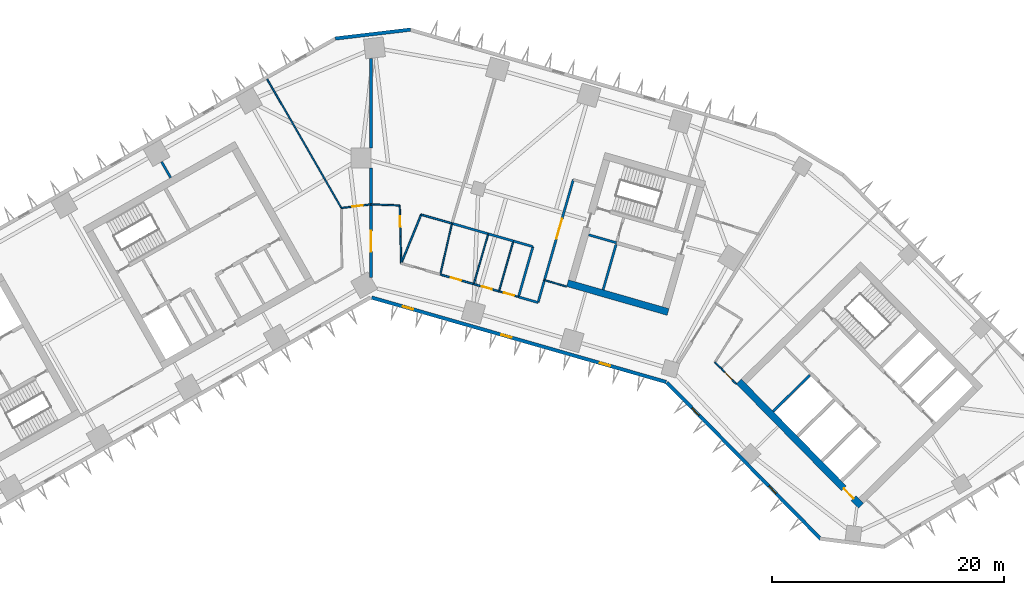
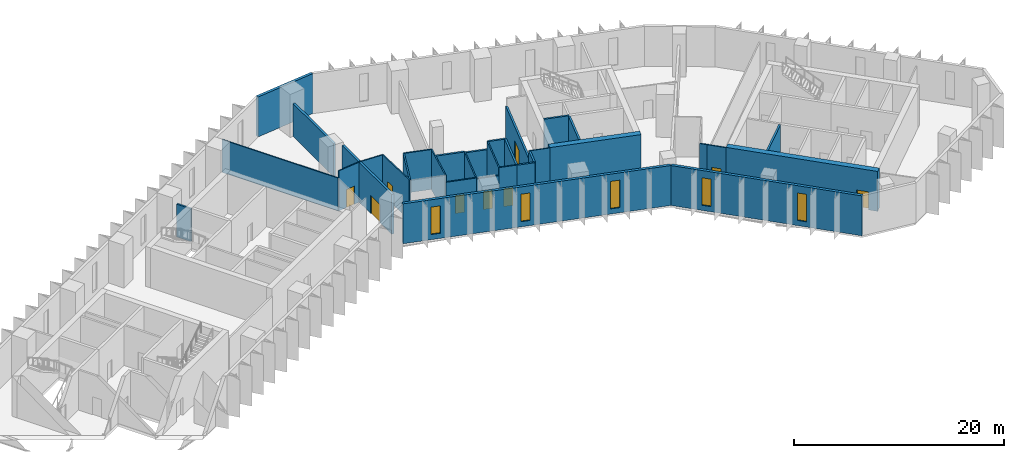
# One storey, part 5 of 11: 34 walls, 9 doors, 5 windows, 14 openings.
"""IFC4 building model written with IfcOpenShell, lengths in metres."""

from ifc_helpers import new_model, si_unit, direction, frame, frame_2d, origin, place, context, subcontext, project, spatial, rectangle, extrude, material, layer, layer_set, type_object, element, fill, save


model = new_model("IFC4")

# Units and contexts
model_context = context("Model", 3, precision=1e-05, world=origin(), true_north=direction((0.0, 1.0)))
body_context = subcontext(model_context, "Body", "Model", "MODEL_VIEW")
ifc_project = project(units=[si_unit("LENGTHUNIT", "METRE"), si_unit("AREAUNIT", "SQUARE_METRE"), si_unit("VOLUMEUNIT", "CUBIC_METRE"), si_unit("PLANEANGLEUNIT", "RADIAN"), si_unit("MASSUNIT", "GRAM", prefix="KILO")], contexts=[model_context])

# Site, building, storey
site_placement = place(None, origin())
site = spatial("IfcSite", under=ifc_project, at=site_placement, CompositionType="ELEMENT")
building_placement = place(site_placement, origin())
building = spatial("IfcBuilding", under=site, at=building_placement, Name="Binnacle Exchange Tower", CompositionType="ELEMENT")
storey_placement = place(building_placement, frame((0.0, 0.0, 86.5)))
storey = spatial("IfcBuildingStorey", under=building, at=storey_placement, Name="L17", CompositionType="ELEMENT", Elevation=86.5)

# Wall, opening, door
ifc_material_1 = material(Name="Concrete C70/85", Category="concrete")
ifc_layer_1 = layer(ifc_material_1, 0.60009765625)
ifc_layer_set_1 = layer_set([ifc_layer_1], Name="Core wall - outer 600")
wall_type_1 = type_object("IfcWallType", Name="Core wall - outer 600", PredefinedType="SOLIDWALL", material=ifc_layer_set_1)
wall_1_placement = place(storey_placement, frame((31.6455078125, 40.7626953125, 0.0), z_axis=(0.0, 0.0, 1.0), x_axis=(0.700911255944, -0.713248491965, 0.0)))
wall_1 = element("IfcWall", 1, at=wall_1_placement, inside=storey, type_object=wall_type_1, Name="Core wall CRWB1", PredefinedType="SOLIDWALL", context=body_context, shape_type="SweptSolid", body=[
    extrude(rectangle(XDim=15.0, YDim=0.60009765625, at=frame_2d((7.5, 0.0))), origin(), (0.0, 0.0, 1.0), 4.64990234375),
])
opening_1_placement = place(wall_1_placement, frame((12.89990234375, 0.0, 0.0)))
opening_1 = element("IfcOpeningElement", 2, at=opening_1_placement, cuts=wall_1, Name="Opening DB7", PredefinedType="OPENING", context=body_context, shape_type="SweptSolid", body=[
    extrude(rectangle(XDim=1.199951171875, YDim=2.10009765625, at=frame_2d((0.60009765625, 1.050048828125))), frame((0.0, 0.31005859375, 0.0), z_axis=(0.0, -1.0, 0.0), x_axis=(1.0, 0.0, 0.0)), (0.0, 0.0, 1.0), 0.6201171875),
])
ifc_material_2 = material(Name="Steel door leaf", Category="steel")
door_type_1 = type_object("IfcDoorType", Name="Fire door 1200", OperationType="NOTDEFINED", PredefinedType="DOOR", material=ifc_material_2)
door_1_placement = place(opening_1_placement, frame((1.199951171875, 0.0, 0.0), z_axis=(0.0, 0.0, 1.0), x_axis=(-1.0, 0.0, 0.0)))
door_1 = element("IfcDoor", 3, at=door_1_placement, inside=storey, type_object=door_type_1, Name="Lift lobby entrance door core B", OperationType="SINGLE_SWING_LEFT", OverallHeight=2.10009765625, OverallWidth=1.199951171875, PredefinedType="DOOR", context=body_context, shape_type="SweptSolid", body=[
    extrude(rectangle(XDim=1.199951171875, YDim=2.10009765625, at=frame_2d((0.60009765625, 1.050048828125))), frame((0.0, 0.02490234375, 0.0), z_axis=(0.0, -1.0, 0.0), x_axis=(1.0, 0.0, 0.0)), (0.0, 0.0, 1.0), 0.050048828125),
])
fill(opening_1, door_1)

# Walls
wall_2_placement = place(storey_placement, frame((16.91064453125, 49.22119140625, 0.0), z_axis=(0.0, 0.0, 1.0), x_axis=(0.96126248289, -0.275634611374, 0.0)))
element("IfcWall", 4, at=wall_2_placement, inside=storey, type_object=wall_type_1, Name="Core wall CRWD1", PredefinedType="SOLIDWALL", context=body_context, shape_type="SweptSolid", body=[
    extrude(rectangle(XDim=9.0, YDim=0.60009765625, at=frame_2d((4.5, 0.0))), origin(), (0.0, 0.0, 1.0), 4.64990234375),
])
ifc_material_3 = material(Name="Bronze aluminium cladding", Category="aluminium")
ifc_layer_2 = layer(ifc_material_3, 0.300048828125)
ifc_layer_set_2 = layer_set([ifc_layer_2], Name="External wall - spandrel 300")
wall_type_2 = type_object("IfcWallType", Name="External wall - spandrel 300", PredefinedType="STANDARD", material=ifc_layer_set_2)
wall_3_placement = place(storey_placement, frame((-3.076171875, 70.27294921875, 0.0), z_axis=(0.0, 0.0, 1.0), x_axis=(0.993067743007, 0.117543429416, 0.0)))
element("IfcWall", 5, at=wall_3_placement, inside=storey, type_object=wall_type_2, Name="External wall EW-F02 L17", PredefinedType="STANDARD", context=body_context, shape_type="SweptSolid", body=[
    extrude(rectangle(XDim=6.515625, YDim=0.300048828125, at=frame_2d((3.2578125, 0.0))), origin(), (0.0, 0.0, 1.0), 4.64990234375),
])

# Wall, openings, windows
wall_4_placement = place(storey_placement, frame((25.398193359375, 40.71728515625, 0.0), z_axis=(0.0, 0.0, 1.0), x_axis=(-0.961262423262, 0.275634819324, 0.0)))
wall_4 = element("IfcWall", 6, at=wall_4_placement, inside=storey, type_object=wall_type_2, Name="External wall EW-F08 L17", PredefinedType="STANDARD", context=body_context, shape_type="SweptSolid", body=[
    extrude(rectangle(XDim=26.358642578125, YDim=0.300048828125, at=frame_2d((13.17919921875, 0.0))), origin(), (0.0, 0.0, 1.0), 4.64990234375),
])
opening_2_placement = place(wall_4_placement, frame((22.6640625, 0.0, 0.60009765625)))
opening_2 = element("IfcOpeningElement", 7, at=opening_2_placement, cuts=wall_4, Name="Opening WS1", PredefinedType="OPENING", context=body_context, shape_type="SweptSolid", body=[
    extrude(rectangle(XDim=0.89990234375, YDim=3.199951171875, at=frame_2d((0.449951171875, 1.60009765625))), frame((0.0, 0.159912109375, 0.0), z_axis=(0.0, -1.0, 0.0), x_axis=(1.0, 0.0, 0.0)), (0.0, 0.0, 1.0), 0.320068359375),
])
opening_3_placement = place(wall_4_placement, frame((13.843505859375, 0.0, 0.60009765625)))
opening_3 = element("IfcOpeningElement", 8, at=opening_3_placement, cuts=wall_4, Name="Opening WS1", PredefinedType="OPENING", context=body_context, shape_type="SweptSolid", body=[
    extrude(rectangle(XDim=0.89990234375, YDim=3.199951171875, at=frame_2d((0.449951171875, 1.60009765625))), frame((0.0, 0.159912109375, 0.0), z_axis=(0.0, -1.0, 0.0), x_axis=(1.0, 0.0, 0.0)), (0.0, 0.0, 1.0), 0.320068359375),
])
opening_4_placement = place(wall_4_placement, frame((5.023193359375, 0.0, 0.60009765625)))
opening_4 = element("IfcOpeningElement", 9, at=opening_4_placement, cuts=wall_4, Name="Opening WS1", PredefinedType="OPENING", context=body_context, shape_type="SweptSolid", body=[
    extrude(rectangle(XDim=0.89990234375, YDim=3.199951171875, at=frame_2d((0.449951171875, 1.60009765625))), frame((0.0, 0.159912109375, 0.0), z_axis=(0.0, -1.0, 0.0), x_axis=(1.0, 0.0, 0.0)), (0.0, 0.0, 1.0), 0.320068359375),
])
ifc_material_4 = material(Name="Bronze anodised aluminium frame", Category="aluminium")
window_type = type_object("IfcWindowType", Name="WS1 WINDOW 900x3200", PartitioningType="SINGLE_PANEL", PredefinedType="WINDOW", material=ifc_material_4)
window_1_placement = place(opening_2_placement, origin())
window_1 = element("IfcWindow", 10, at=window_1_placement, inside=storey, type_object=window_type, Name="Window WS1 L17", OverallHeight=3.199951171875, OverallWidth=0.89990234375, PartitioningType="SINGLE_PANEL", PredefinedType="WINDOW", context=body_context, shape_type="SweptSolid", body=[
    extrude(rectangle(XDim=0.89990234375, YDim=3.199951171875, at=frame_2d((0.449951171875, 1.60009765625))), frame((0.0, 0.030029296875, 0.0), z_axis=(0.0, -1.0, 0.0), x_axis=(1.0, 0.0, 0.0)), (0.0, 0.0, 1.0), 0.06005859375),
])
fill(opening_2, window_1)
window_2_placement = place(opening_3_placement, origin())
window_2 = element("IfcWindow", 11, at=window_2_placement, inside=storey, type_object=window_type, Name="Window WS1 L17", OverallHeight=3.199951171875, OverallWidth=0.89990234375, PartitioningType="SINGLE_PANEL", PredefinedType="WINDOW", context=body_context, shape_type="SweptSolid", body=[
    extrude(rectangle(XDim=0.89990234375, YDim=3.199951171875, at=frame_2d((0.449951171875, 1.60009765625))), frame((0.0, 0.030029296875, 0.0), z_axis=(0.0, -1.0, 0.0), x_axis=(1.0, 0.0, 0.0)), (0.0, 0.0, 1.0), 0.06005859375),
])
fill(opening_3, window_2)
window_3_placement = place(opening_4_placement, origin())
window_3 = element("IfcWindow", 12, at=window_3_placement, inside=storey, type_object=window_type, Name="Window WS1 L17", OverallHeight=3.199951171875, OverallWidth=0.89990234375, PartitioningType="SINGLE_PANEL", PredefinedType="WINDOW", context=body_context, shape_type="SweptSolid", body=[
    extrude(rectangle(XDim=0.89990234375, YDim=3.199951171875, at=frame_2d((0.449951171875, 1.60009765625))), frame((0.0, 0.030029296875, 0.0), z_axis=(0.0, -1.0, 0.0), x_axis=(1.0, 0.0, 0.0)), (0.0, 0.0, 1.0), 0.06005859375),
])
fill(opening_4, window_3)

wall_5_placement = place(storey_placement, frame((38.727294921875, 27.18115234375, 0.0), z_axis=(0.0, 0.0, 1.0), x_axis=(-0.700906405975, 0.713253258011, 0.0)))
wall_5 = element("IfcWall", 13, at=wall_5_placement, inside=storey, type_object=wall_type_2, Name="External wall EW-F09 L17", PredefinedType="STANDARD", context=body_context, shape_type="SweptSolid", body=[
    extrude(rectangle(XDim=18.92333984375, YDim=0.300048828125, at=frame_2d((9.461669921875, 0.0))), origin(), (0.0, 0.0, 1.0), 4.64990234375),
])
opening_5_placement = place(wall_5_placement, frame((14.967041015625, 0.0, 0.60009765625)))
opening_5 = element("IfcOpeningElement", 14, at=opening_5_placement, cuts=wall_5, Name="Opening WS1", PredefinedType="OPENING", context=body_context, shape_type="SweptSolid", body=[
    extrude(rectangle(XDim=0.89990234375, YDim=3.199951171875, at=frame_2d((0.449951171875, 1.60009765625))), frame((0.0, 0.159912109375, 0.0), z_axis=(0.0, -1.0, 0.0), x_axis=(1.0, 0.0, 0.0)), (0.0, 0.0, 1.0), 0.320068359375),
])
opening_6_placement = place(wall_5_placement, frame((5.51171875, 0.0, 0.60009765625)))
opening_6 = element("IfcOpeningElement", 15, at=opening_6_placement, cuts=wall_5, Name="Opening WS1", PredefinedType="OPENING", context=body_context, shape_type="SweptSolid", body=[
    extrude(rectangle(XDim=0.89990234375, YDim=3.199951171875, at=frame_2d((0.449951171875, 1.60009765625))), frame((0.0, 0.159912109375, 0.0), z_axis=(0.0, -1.0, 0.0), x_axis=(1.0, 0.0, 0.0)), (0.0, 0.0, 1.0), 0.320068359375),
])
window_4_placement = place(opening_5_placement, origin())
window_4 = element("IfcWindow", 16, at=window_4_placement, inside=storey, type_object=window_type, Name="Window WS1 L17", OverallHeight=3.199951171875, OverallWidth=0.89990234375, PartitioningType="SINGLE_PANEL", PredefinedType="WINDOW", context=body_context, shape_type="SweptSolid", body=[
    extrude(rectangle(XDim=0.89990234375, YDim=3.199951171875, at=frame_2d((0.449951171875, 1.60009765625))), frame((0.0, 0.030029296875, 0.0), z_axis=(0.0, -1.0, 0.0), x_axis=(1.0, 0.0, 0.0)), (0.0, 0.0, 1.0), 0.06005859375),
])
fill(opening_5, window_4)
window_5_placement = place(opening_6_placement, origin())
window_5 = element("IfcWindow", 17, at=window_5_placement, inside=storey, type_object=window_type, Name="Window WS1 L17", OverallHeight=3.199951171875, OverallWidth=0.89990234375, PartitioningType="SINGLE_PANEL", PredefinedType="WINDOW", context=body_context, shape_type="SweptSolid", body=[
    extrude(rectangle(XDim=0.89990234375, YDim=3.199951171875, at=frame_2d((0.449951171875, 1.60009765625))), frame((0.0, 0.030029296875, 0.0), z_axis=(0.0, -1.0, 0.0), x_axis=(1.0, 0.0, 0.0)), (0.0, 0.0, 1.0), 0.06005859375),
])
fill(opening_6, window_5)

# Walls
ifc_material_5 = material(Name="Masonry block wall", Category="masonry")
ifc_layer_3 = layer(ifc_material_5, 0.199951171875)
ifc_layer_set_3 = layer_set([ifc_layer_3], Name="Fire wall - block 200")
wall_type_3 = type_object("IfcWallType", Name="Fire wall - block 200", PredefinedType="PARTITIONING", material=ifc_layer_set_3)
wall_6_placement = place(storey_placement, frame((-18.01806640625, 59.6689453125, 0.0), z_axis=(0.0, 0.0, 1.0), x_axis=(0.494877399769, -0.868962806568, 0.0)))
element("IfcWall", 18, at=wall_6_placement, inside=storey, type_object=wall_type_3, Name="Partition W05", PredefinedType="PARTITIONING", context=body_context, shape_type="SweptSolid", body=[
    extrude(rectangle(XDim=1.58447265625, YDim=0.199951171875, at=frame_2d((0.792236328125, 0.0))), origin(), (0.0, 0.0, 1.0), 3.830078125),
])
wall_7_placement = place(storey_placement, frame((6.966064453125, 54.362060546875, 0.0), z_axis=(0.0, 0.0, 1.0), x_axis=(0.961245650832, -0.275693305607, 0.0)))
element("IfcWall", 19, at=wall_7_placement, inside=storey, type_object=wall_type_3, Name="Partition W20", PredefinedType="PARTITIONING", context=body_context, shape_type="SweptSolid", body=[
    extrude(rectangle(XDim=3.25, YDim=0.199951171875, at=frame_2d((1.625, 0.0))), origin(), (0.0, 0.0, 1.0), 3.830078125),
])
wall_8_placement = place(storey_placement, frame((10.090087890625, 53.466064453125, 0.0), z_axis=(0.0, 0.0, 1.0), x_axis=(0.961269670038, -0.275609545309, 0.0)))
element("IfcWall", 20, at=wall_8_placement, inside=storey, type_object=wall_type_3, Name="Partition W24", PredefinedType="PARTITIONING", context=body_context, shape_type="SweptSolid", body=[
    extrude(rectangle(XDim=2.25, YDim=0.199951171875, at=frame_2d((1.125, 0.0))), origin(), (0.0, 0.0, 1.0), 3.718017578125),
])
wall_9_placement = place(storey_placement, frame((12.2529296875, 52.845947265625, 0.0), z_axis=(0.0, 0.0, 1.0), x_axis=(0.961175737212, -0.275936953296, 0.0)))
element("IfcWall", 21, at=wall_9_placement, inside=storey, type_object=wall_type_3, Name="Partition W27", PredefinedType="PARTITIONING", context=body_context, shape_type="SweptSolid", body=[
    extrude(rectangle(XDim=1.75, YDim=0.199951171875, at=frame_2d((0.875, 0.0))), origin(), (0.0, 0.0, 1.0), 4.64990234375),
])
wall_10_placement = place(storey_placement, frame((12.694091796875, 48.0380859375, 0.0), z_axis=(0.0, 0.0, 1.0), x_axis=(0.275803080638, 0.96121415965, 0.0)))
element("IfcWall", 22, at=wall_10_placement, inside=storey, type_object=wall_type_3, Name="Partition W28", PredefinedType="PARTITIONING", context=body_context, shape_type="SweptSolid", body=[
    extrude(rectangle(XDim=4.49951171875, YDim=0.199951171875, at=frame_2d((2.249755859375, 0.0))), origin(), (0.0, 0.0, 1.0), 4.64990234375),
])
wall_11_placement = place(storey_placement, frame((12.694091796875, 48.0380859375, 0.0), z_axis=(0.0, 0.0, 1.0), x_axis=(0.961170605556, -0.275954827854, 0.0)))
element("IfcWall", 23, at=wall_11_placement, inside=storey, type_object=wall_type_3, Name="Partition W29", PredefinedType="PARTITIONING", context=body_context, shape_type="SweptSolid", body=[
    extrude(rectangle(XDim=1.750732421875, YDim=0.199951171875, at=frame_2d((0.87548828125, 0.0))), origin(), (0.0, 0.0, 1.0), 4.64990234375),
])
wall_12_placement = place(storey_placement, frame((14.376953125, 47.554931640625, 0.0), z_axis=(0.0, 0.0, 1.0), x_axis=(0.275446387355, 0.961316434736, 0.0)))
element("IfcWall", 24, at=wall_12_placement, inside=storey, type_object=wall_type_3, Name="Partition W30", PredefinedType="PARTITIONING", context=body_context, shape_type="SweptSolid", body=[
    extrude(rectangle(XDim=2.00048828125, YDim=0.199951171875, at=frame_2d((1.000244140625, 0.0))), origin(), (0.0, 0.0, 1.0), 4.64990234375),
])

# Wall, opening, door
wall_13_placement = place(storey_placement, frame((14.927978515625, 49.47802734375, 0.0), z_axis=(0.0, 0.0, 1.0), x_axis=(0.275674053528, 0.961251172281, 0.0)))
wall_13 = element("IfcWall", 25, at=wall_13_placement, inside=storey, type_object=wall_type_3, Name="Partition W32", PredefinedType="PARTITIONING", context=body_context, shape_type="SweptSolid", body=[
    extrude(rectangle(XDim=8.99951171875, YDim=0.199951171875, at=frame_2d((4.499755859375, 0.0))), origin(), (0.0, 0.0, 1.0), 3.718017578125),
])
opening_7_placement = place(wall_13_placement, frame((3.699951171875, 0.0, 0.0)))
opening_7 = element("IfcOpeningElement", 26, at=opening_7_placement, cuts=wall_13, Name="Opening DL16-10", PredefinedType="OPENING", context=body_context, shape_type="SweptSolid", body=[
    extrude(rectangle(XDim=1.800048828125, YDim=2.10009765625, at=frame_2d((0.89990234375, 1.050048828125))), frame((0.0, 0.10986328125, 0.0), z_axis=(0.0, -1.0, 0.0), x_axis=(1.0, 0.0, 0.0)), (0.0, 0.0, 1.0), 0.219970703125),
])
door_type_2 = type_object("IfcDoorType", Name="Fire door 1800", OperationType="NOTDEFINED", PredefinedType="DOOR", material=ifc_material_2)
door_2_placement = place(opening_7_placement, origin())
door_2 = element("IfcDoor", 27, at=door_2_placement, inside=storey, type_object=door_type_2, Name="Door DL16-10", OperationType="DOUBLE_DOOR_SINGLE_SWING", OverallHeight=2.10009765625, OverallWidth=1.800048828125, PredefinedType="DOOR", context=body_context, shape_type="SweptSolid", body=[
    extrude(rectangle(XDim=1.800048828125, YDim=2.10009765625, at=frame_2d((0.89990234375, 1.050048828125))), frame((0.0, 0.02490234375, 0.0), z_axis=(0.0, -1.0, 0.0), x_axis=(1.0, 0.0, 0.0)), (0.0, 0.0, 1.0), 0.050048828125),
])
fill(opening_7, door_2)

ifc_material_6 = material(Name="Concrete fire wall C30/37", Category="concrete")
ifc_layer_4 = layer(ifc_material_6, 0.25)
ifc_layer_set_4 = layer_set([ifc_layer_4], Name="Fire wall - compartment 250")
wall_type_4 = type_object("IfcWallType", Name="Fire wall - compartment 250", PredefinedType="PARTITIONING", material=ifc_layer_set_4)
wall_14_placement = place(storey_placement, frame((0.0, 49.72607421875, 0.0), z_axis=(0.0, 0.0, 1.0), x_axis=(0.0, 1.0, 0.0)))
wall_14 = element("IfcWall", 28, at=wall_14_placement, inside=storey, type_object=wall_type_4, Name="Fire Wall W10", PredefinedType="PARTITIONING", context=body_context, shape_type="SweptSolid", body=[
    extrude(rectangle(XDim=6.27392578125, YDim=0.25, at=frame_2d((3.136962890625, 0.0))), origin(), (0.0, 0.0, 1.0), 4.64990234375),
])
opening_8_placement = place(wall_14_placement, frame((2.199951171875, 0.0, 0.0)))
opening_8 = element("IfcOpeningElement", 29, at=opening_8_placement, cuts=wall_14, Name="Opening DL16-15", PredefinedType="OPENING", context=body_context, shape_type="SweptSolid", body=[
    extrude(rectangle(XDim=1.800048828125, YDim=2.10009765625, at=frame_2d((0.89990234375, 1.050048828125))), frame((0.0, 0.135009765625, 0.0), z_axis=(0.0, -1.0, 0.0), x_axis=(1.0, 0.0, 0.0)), (0.0, 0.0, 1.0), 0.27001953125),
])
door_3_placement = place(opening_8_placement, origin())
door_3 = element("IfcDoor", 30, at=door_3_placement, inside=storey, type_object=door_type_2, Name="Door DL16-15", OperationType="DOUBLE_DOOR_SINGLE_SWING", OverallHeight=2.10009765625, OverallWidth=1.800048828125, PredefinedType="DOOR", context=body_context, shape_type="SweptSolid", body=[
    extrude(rectangle(XDim=1.800048828125, YDim=2.10009765625, at=frame_2d((0.89990234375, 1.050048828125))), frame((0.0, 0.02490234375, 0.0), z_axis=(0.0, -1.0, 0.0), x_axis=(1.0, 0.0, 0.0)), (0.0, 0.0, 1.0), 0.050048828125),
])
fill(opening_8, door_3)

# Walls
wall_15_placement = place(storey_placement, frame((0.0, 56.0, 0.0), z_axis=(0.0, 0.0, 1.0), x_axis=(0.0, 1.0, 0.0)))
element("IfcWall", 31, at=wall_15_placement, inside=storey, type_object=wall_type_4, Name="Fire Wall W11", PredefinedType="PARTITIONING", context=body_context, shape_type="SweptSolid", body=[
    extrude(rectangle(XDim=3.14990234375, YDim=0.25, at=frame_2d((1.574951171875, 0.0))), origin(), (0.0, 0.0, 1.0), 4.64990234375),
])
wall_16_placement = place(storey_placement, frame((0.0, 60.85009765625, 0.0), z_axis=(0.0, 0.0, 1.0), x_axis=(0.0, 1.0, 0.0)))
element("IfcWall", 32, at=wall_16_placement, inside=storey, type_object=wall_type_4, Name="Fire Wall W13", PredefinedType="PARTITIONING", context=body_context, shape_type="SweptSolid", body=[
    extrude(rectangle(XDim=7.722900390625, YDim=0.25, at=frame_2d((3.861328125, 0.0))), origin(), (0.0, 0.0, 1.0), 3.830078125),
])
ifc_material_7 = material(Name="Gypsum partition fire rated")
ifc_layer_5 = layer(ifc_material_7, 0.14990234375)
ifc_layer_set_5 = layer_set([ifc_layer_5], Name="Fire-rated partition 150")
wall_type_5 = type_object("IfcWallType", Name="Fire-rated partition 150", PredefinedType="PARTITIONING", material=ifc_layer_set_5)
wall_17_placement = place(storey_placement, frame((2.60107421875, 50.931884765625, 0.0), z_axis=(0.0, 0.0, 1.0), x_axis=(0.380066317543, 0.924959239247, 0.0)))
element("IfcWall", 33, at=wall_17_placement, inside=storey, type_object=wall_type_5, Name="Partition W15", PredefinedType="PARTITIONING", context=body_context, shape_type="SweptSolid", body=[
    extrude(rectangle(XDim=4.528076171875, YDim=0.14990234375, at=frame_2d((2.26416015625, 0.0))), origin(), (0.0, 0.0, 1.0), 4.64990234375),
])
wall_18_placement = place(storey_placement, frame((4.322021484375, 55.1201171875, 0.0), z_axis=(0.0, 0.0, 1.0), x_axis=(0.961272337704, -0.275600240865, 0.0)))
element("IfcWall", 34, at=wall_18_placement, inside=storey, type_object=wall_type_5, Name="Partition W17", PredefinedType="PARTITIONING", context=body_context, shape_type="SweptSolid", body=[
    extrude(rectangle(XDim=2.75048828125, YDim=0.14990234375, at=frame_2d((1.375244140625, 0.0))), origin(), (0.0, 0.0, 1.0), 4.64990234375),
])

# Wall, opening, door
wall_19_placement = place(storey_placement, frame((5.966064453125, 49.967041015625, 0.0), z_axis=(0.0, 0.0, 1.0), x_axis=(0.961222353496, -0.275774522283, 0.0)))
wall_19 = element("IfcWall", 35, at=wall_19_placement, inside=storey, type_object=wall_type_5, Name="Partition W19", PredefinedType="PARTITIONING", context=body_context, shape_type="SweptSolid", body=[
    extrude(rectangle(XDim=2.999267578125, YDim=0.14990234375, at=frame_2d((1.49951171875, 0.0))), origin(), (0.0, 0.0, 1.0), 3.830078125),
])
opening_9_placement = place(wall_19_placement, frame((0.949951171875, 0.0, 0.0)))
opening_9 = element("IfcOpeningElement", 36, at=opening_9_placement, cuts=wall_19, Name="Opening DL16-06", PredefinedType="OPENING", context=body_context, shape_type="SweptSolid", body=[
    extrude(rectangle(XDim=0.89990234375, YDim=2.10009765625, at=frame_2d((0.449951171875, 1.050048828125))), frame((0.0, 0.0849609375, 0.0), z_axis=(0.0, -1.0, 0.0), x_axis=(1.0, 0.0, 0.0)), (0.0, 0.0, 1.0), 0.169921875),
])
door_type_3 = type_object("IfcDoorType", Name="Fire door 900", OperationType="NOTDEFINED", PredefinedType="DOOR", material=ifc_material_2)
door_4_placement = place(opening_9_placement, origin())
door_4 = element("IfcDoor", 37, at=door_4_placement, inside=storey, type_object=door_type_3, Name="Door DL16-06", OperationType="SINGLE_SWING_LEFT", OverallHeight=2.10009765625, OverallWidth=0.89990234375, PredefinedType="DOOR", context=body_context, shape_type="SweptSolid", body=[
    extrude(rectangle(XDim=0.89990234375, YDim=2.10009765625, at=frame_2d((0.449951171875, 1.050048828125))), frame((0.0, 0.02490234375, 0.0), z_axis=(0.0, -1.0, 0.0), x_axis=(1.0, 0.0, 0.0)), (0.0, 0.0, 1.0), 0.050048828125),
])
fill(opening_9, door_4)

wall_20_placement = place(storey_placement, frame((8.84912109375, 49.139892578125, 0.0), z_axis=(0.0, 0.0, 1.0), x_axis=(0.961298413165, -0.275509275429, 0.0)))
wall_20 = element("IfcWall", 38, at=wall_20_placement, inside=storey, type_object=wall_type_5, Name="Partition W23", PredefinedType="PARTITIONING", context=body_context, shape_type="SweptSolid", body=[
    extrude(rectangle(XDim=2.25, YDim=0.14990234375, at=frame_2d((1.125, 0.0))), origin(), (0.0, 0.0, 1.0), 3.718017578125),
])
opening_10_placement = place(wall_20_placement, frame((0.699951171875, 0.0, 0.0)))
opening_10 = element("IfcOpeningElement", 39, at=opening_10_placement, cuts=wall_20, Name="Opening DL16-07", PredefinedType="OPENING", context=body_context, shape_type="SweptSolid", body=[
    extrude(rectangle(XDim=0.89990234375, YDim=2.10009765625, at=frame_2d((0.449951171875, 1.050048828125))), frame((0.0, 0.0849609375, 0.0), z_axis=(0.0, -1.0, 0.0), x_axis=(1.0, 0.0, 0.0)), (0.0, 0.0, 1.0), 0.169921875),
])
door_5_placement = place(opening_10_placement, origin())
door_5 = element("IfcDoor", 40, at=door_5_placement, inside=storey, type_object=door_type_3, Name="Door DL16-07", OperationType="SINGLE_SWING_RIGHT", OverallHeight=2.10009765625, OverallWidth=0.89990234375, PredefinedType="DOOR", context=body_context, shape_type="SweptSolid", body=[
    extrude(rectangle(XDim=0.89990234375, YDim=2.10009765625, at=frame_2d((0.449951171875, 1.050048828125))), frame((0.0, 0.02490234375, 0.0), z_axis=(0.0, -1.0, 0.0), x_axis=(1.0, 0.0, 0.0)), (0.0, 0.0, 1.0), 0.050048828125),
])
fill(opening_10, door_5)

# Wall
ifc_material_8 = material(Name="Gypsum partition")
ifc_layer_6 = layer(ifc_material_8, 0.125)
ifc_layer_set_6 = layer_set([ifc_layer_6], Name="Partition 125")
wall_type_6 = type_object("IfcWallType", Name="Partition 125", PredefinedType="PARTITIONING", material=ifc_layer_set_6)
wall_21_placement = place(storey_placement, frame((-8.930908203125, 66.77490234375, 0.0), z_axis=(0.0, 0.0, 1.0), x_axis=(0.498955759248, -0.866627457627, 0.0)))
element("IfcWall", 41, at=wall_21_placement, inside=storey, type_object=wall_type_6, Name="Partition W06", PredefinedType="PARTITIONING", context=body_context, shape_type="SweptSolid", body=[
    extrude(rectangle(XDim=12.794189453125, YDim=0.125, at=frame_2d((6.39697265625, 0.0))), origin(), (0.0, 0.0, 1.0), 3.822021484375),
])

# Wall, opening, door
wall_22_placement = place(storey_placement, frame((-2.547119140625, 55.68701171875, 0.0), z_axis=(0.0, 0.0, 1.0), x_axis=(0.992534770107, 0.121962002806, 0.0)))
wall_22 = element("IfcWall", 42, at=wall_22_placement, inside=storey, type_object=wall_type_6, Name="Partition W09", PredefinedType="PARTITIONING", context=body_context, shape_type="SweptSolid", body=[
    extrude(rectangle(XDim=2.566162109375, YDim=0.125, at=frame_2d((1.283203125, 0.0))), origin(), (0.0, 0.0, 1.0), 4.64990234375),
])
opening_11_placement = place(wall_22_placement, frame((0.949951171875, 0.0, 0.0)))
opening_11 = element("IfcOpeningElement", 43, at=opening_11_placement, cuts=wall_22, Name="Opening DL16-04", PredefinedType="OPENING", context=body_context, shape_type="SweptSolid", body=[
    extrude(rectangle(XDim=0.89990234375, YDim=2.10009765625, at=frame_2d((0.449951171875, 1.050048828125))), frame((0.0, 0.072509765625, 0.0), z_axis=(0.0, -1.0, 0.0), x_axis=(1.0, 0.0, 0.0)), (0.0, 0.0, 1.0), 0.14501953125),
])
ifc_material_9 = material(Name="Timber door leaf", Category="wood")
door_type_4 = type_object("IfcDoorType", Name="Door 900", OperationType="NOTDEFINED", PredefinedType="DOOR", material=ifc_material_9)
door_6_placement = place(opening_11_placement, origin())
door_6 = element("IfcDoor", 44, at=door_6_placement, inside=storey, type_object=door_type_4, Name="Door DL16-04", OperationType="SINGLE_SWING_RIGHT", OverallHeight=2.10009765625, OverallWidth=0.89990234375, PredefinedType="DOOR", context=body_context, shape_type="SweptSolid", body=[
    extrude(rectangle(XDim=0.89990234375, YDim=2.10009765625, at=frame_2d((0.449951171875, 1.050048828125))), frame((0.0, 0.02490234375, 0.0), z_axis=(0.0, -1.0, 0.0), x_axis=(1.0, 0.0, 0.0)), (0.0, 0.0, 1.0), 0.050048828125),
])
fill(opening_11, door_6)

# Wall
wall_23_placement = place(storey_placement, frame((0.0, 56.0, 0.0), z_axis=(0.0, 0.0, 1.0), x_axis=(0.999349313684, -0.036068673934, 0.0)))
element("IfcWall", 45, at=wall_23_placement, inside=storey, type_object=wall_type_6, Name="Partition W12", PredefinedType="PARTITIONING", context=body_context, shape_type="SweptSolid", body=[
    extrude(rectangle(XDim=2.470703125, YDim=0.125, at=frame_2d((1.2353515625, 0.0))), origin(), (0.0, 0.0, 1.0), 4.64990234375),
])

# Wall, opening, door
wall_24_placement = place(storey_placement, frame((2.468994140625, 55.910888671875, 0.0), z_axis=(0.0, 0.0, 1.0), x_axis=(0.02651808123, -0.999648333849, 0.0)))
wall_24 = element("IfcWall", 46, at=wall_24_placement, inside=storey, type_object=wall_type_6, Name="Partition W14", PredefinedType="PARTITIONING", context=body_context, shape_type="SweptSolid", body=[
    extrude(rectangle(XDim=4.980712890625, YDim=0.125, at=frame_2d((2.490234375, 0.0))), origin(), (0.0, 0.0, 1.0), 4.64990234375),
])
opening_12_placement = place(wall_24_placement, frame((0.949951171875, 0.0, 0.0)))
opening_12 = element("IfcOpeningElement", 47, at=opening_12_placement, cuts=wall_24, Name="Opening DL16-09", PredefinedType="OPENING", context=body_context, shape_type="SweptSolid", body=[
    extrude(rectangle(XDim=0.89990234375, YDim=2.10009765625, at=frame_2d((0.449951171875, 1.050048828125))), frame((0.0, 0.072509765625, 0.0), z_axis=(0.0, -1.0, 0.0), x_axis=(1.0, 0.0, 0.0)), (0.0, 0.0, 1.0), 0.14501953125),
])
door_7_placement = place(opening_12_placement, origin())
door_7 = element("IfcDoor", 48, at=door_7_placement, inside=storey, type_object=door_type_4, Name="Door DL16-09", OperationType="SINGLE_SWING_LEFT", OverallHeight=2.10009765625, OverallWidth=0.89990234375, PredefinedType="DOOR", context=body_context, shape_type="SweptSolid", body=[
    extrude(rectangle(XDim=0.89990234375, YDim=2.10009765625, at=frame_2d((0.449951171875, 1.050048828125))), frame((0.0, 0.02490234375, 0.0), z_axis=(0.0, -1.0, 0.0), x_axis=(1.0, 0.0, 0.0)), (0.0, 0.0, 1.0), 0.050048828125),
])
fill(opening_12, door_7)

# Walls
wall_25_placement = place(storey_placement, frame((5.966064453125, 49.967041015625, 0.0), z_axis=(0.0, 0.0, 1.0), x_axis=(0.221859891223, 0.975078555126, 0.0)))
element("IfcWall", 49, at=wall_25_placement, inside=storey, type_object=wall_type_6, Name="Partition W18", PredefinedType="PARTITIONING", context=body_context, shape_type="SweptSolid", body=[
    extrude(rectangle(XDim=4.50732421875, YDim=0.125, at=frame_2d((2.253662109375, 0.0))), origin(), (0.0, 0.0, 1.0), 4.64990234375),
])
wall_26_placement = place(storey_placement, frame((8.84912109375, 49.139892578125, 0.0), z_axis=(0.0, 0.0, 1.0), x_axis=(0.275731175537, 0.961234788612, 0.0)))
element("IfcWall", 50, at=wall_26_placement, inside=storey, type_object=wall_type_6, Name="Partition W22", PredefinedType="PARTITIONING", context=body_context, shape_type="SweptSolid", body=[
    extrude(rectangle(XDim=4.500732421875, YDim=0.125, at=frame_2d((2.25048828125, 0.0))), origin(), (0.0, 0.0, 1.0), 3.830078125),
])
wall_27_placement = place(storey_placement, frame((11.011962890625, 48.52001953125, 0.0), z_axis=(0.0, 0.0, 1.0), x_axis=(0.275745553681, 0.96123066411, 0.0)))
element("IfcWall", 51, at=wall_27_placement, inside=storey, type_object=wall_type_6, Name="Partition W25", PredefinedType="PARTITIONING", context=body_context, shape_type="SweptSolid", body=[
    extrude(rectangle(XDim=4.50048828125, YDim=0.125, at=frame_2d((2.250244140625, 0.0))), origin(), (0.0, 0.0, 1.0), 4.64990234375),
])

# Wall, opening, door
wall_28_placement = place(storey_placement, frame((11.011962890625, 48.52001953125, 0.0), z_axis=(0.0, 0.0, 1.0), x_axis=(0.961323619822, -0.275421309946, 0.0)))
wall_28 = element("IfcWall", 52, at=wall_28_placement, inside=storey, type_object=wall_type_6, Name="Partition W26", PredefinedType="PARTITIONING", context=body_context, shape_type="SweptSolid", body=[
    extrude(rectangle(XDim=1.749755859375, YDim=0.125, at=frame_2d((0.875, 0.0))), origin(), (0.0, 0.0, 1.0), 4.64990234375),
])
opening_13_placement = place(wall_28_placement, frame((0.449951171875, 0.0, 0.0)))
opening_13 = element("IfcOpeningElement", 53, at=opening_13_placement, cuts=wall_28, Name="Opening DL16-08", PredefinedType="OPENING", context=body_context, shape_type="SweptSolid", body=[
    extrude(rectangle(XDim=0.89990234375, YDim=2.10009765625, at=frame_2d((0.449951171875, 1.050048828125))), frame((0.0, 0.072509765625, 0.0), z_axis=(0.0, -1.0, 0.0), x_axis=(1.0, 0.0, 0.0)), (0.0, 0.0, 1.0), 0.14501953125),
])
door_8_placement = place(opening_13_placement, origin())
door_8 = element("IfcDoor", 54, at=door_8_placement, inside=storey, type_object=door_type_4, Name="Door DL16-08", OperationType="SINGLE_SWING_RIGHT", OverallHeight=2.10009765625, OverallWidth=0.89990234375, PredefinedType="DOOR", context=body_context, shape_type="SweptSolid", body=[
    extrude(rectangle(XDim=0.89990234375, YDim=2.10009765625, at=frame_2d((0.449951171875, 1.050048828125))), frame((0.0, 0.02490234375, 0.0), z_axis=(0.0, -1.0, 0.0), x_axis=(1.0, 0.0, 0.0)), (0.0, 0.0, 1.0), 0.050048828125),
])
fill(opening_13, door_8)

# Walls
wall_29_placement = place(storey_placement, frame((14.927978515625, 49.47802734375, 0.0), z_axis=(0.0, 0.0, 1.0), x_axis=(0.961243778232, -0.27569983462, 0.0)))
element("IfcWall", 55, at=wall_29_placement, inside=storey, type_object=wall_type_6, Name="Partition W31", PredefinedType="PARTITIONING", context=body_context, shape_type="SweptSolid", body=[
    extrude(rectangle(XDim=1.9765625, YDim=0.125, at=frame_2d((0.98828125, 0.0))), origin(), (0.0, 0.0, 1.0), 4.64990234375),
])
wall_30_placement = place(storey_placement, frame((29.60009765625, 42.416015625, 0.0), z_axis=(0.0, 0.0, 1.0), x_axis=(0.701711125926, -0.71246157493, 0.0)))
element("IfcWall", 56, at=wall_30_placement, inside=storey, type_object=wall_type_6, Name="Partition W37", PredefinedType="PARTITIONING", context=body_context, shape_type="SweptSolid", body=[
    extrude(rectangle(XDim=0.74951171875, YDim=0.125, at=frame_2d((0.374755859375, 0.0))), origin(), (0.0, 0.0, 1.0), 4.64990234375),
])

# Wall, opening, door
wall_31_placement = place(storey_placement, frame((30.1259765625, 41.882080078125, 0.0), z_axis=(0.0, 0.0, 1.0), x_axis=(0.700593717615, -0.713560398872, 0.0)))
wall_31 = element("IfcWall", 57, at=wall_31_placement, inside=storey, type_object=wall_type_6, Name="Partition W41", PredefinedType="PARTITIONING", context=body_context, shape_type="SweptSolid", body=[
    extrude(rectangle(XDim=1.864013671875, YDim=0.125, at=frame_2d((0.93212890625, 0.0))), origin(), (0.0, 0.0, 1.0), 4.64990234375),
])
opening_14_placement = place(wall_31_placement, frame((0.449951171875, 0.0, 0.0)))
opening_14 = element("IfcOpeningElement", 58, at=opening_14_placement, cuts=wall_31, Name="Opening DL16-13", PredefinedType="OPENING", context=body_context, shape_type="SweptSolid", body=[
    extrude(rectangle(XDim=0.89990234375, YDim=2.10009765625, at=frame_2d((0.449951171875, 1.050048828125))), frame((0.0, 0.072509765625, 0.0), z_axis=(0.0, -1.0, 0.0), x_axis=(1.0, 0.0, 0.0)), (0.0, 0.0, 1.0), 0.14501953125),
])
door_9_placement = place(opening_14_placement, origin())
door_9 = element("IfcDoor", 59, at=door_9_placement, inside=storey, type_object=door_type_4, Name="Door DL16-13", OperationType="SINGLE_SWING_LEFT", OverallHeight=2.10009765625, OverallWidth=0.89990234375, PredefinedType="DOOR", context=body_context, shape_type="SweptSolid", body=[
    extrude(rectangle(XDim=0.89990234375, YDim=2.10009765625, at=frame_2d((0.449951171875, 1.050048828125))), frame((0.0, 0.02490234375, 0.0), z_axis=(0.0, -1.0, 0.0), x_axis=(1.0, 0.0, 0.0)), (0.0, 0.0, 1.0), 0.050048828125),
])
fill(opening_14, door_9)

# Walls
ifc_layer_7 = layer(ifc_material_5, 0.199951171875)
ifc_layer_set_7 = layer_set([ifc_layer_7], Name="Riser wall 200")
wall_type_7 = type_object("IfcWallType", Name="Riser wall 200", PredefinedType="SOLIDWALL", material=ifc_layer_set_7)
wall_32_placement = place(storey_placement, frame((34.59326171875, 38.19140625, 0.0), z_axis=(0.0, 0.0, 1.0), x_axis=(0.713252216116, 0.700907466222, 0.0)))
element("IfcWall", 60, at=wall_32_placement, inside=storey, type_object=wall_type_7, Name="Core wall CRWB9", PredefinedType="SOLIDWALL", context=body_context, shape_type="SweptSolid", body=[
    extrude(rectangle(XDim=4.44970703125, YDim=0.199951171875, at=frame_2d((2.224853515625, 0.0))), origin(), (0.0, 0.0, 1.0), 4.64990234375),
])
wall_33_placement = place(storey_placement, frame((18.727783203125, 53.381591796875, 0.0), z_axis=(0.0, 0.0, 1.0), x_axis=(0.961247070632, -0.275688355216, 0.0)))
element("IfcWall", 61, at=wall_33_placement, inside=storey, type_object=wall_type_7, Name="Core wall CRWD2", PredefinedType="SOLIDWALL", context=body_context, shape_type="SweptSolid", body=[
    extrude(rectangle(XDim=2.5, YDim=0.199951171875, at=frame_2d((1.25, 0.0))), origin(), (0.0, 0.0, 1.0), 4.64990234375),
])
wall_34_placement = place(storey_placement, frame((19.97314453125, 48.6552734375, 0.0), z_axis=(0.0, 0.0, 1.0), x_axis=(0.275668441653, 0.961252781674, 0.0)))
element("IfcWall", 62, at=wall_34_placement, inside=storey, type_object=wall_type_7, Name="Core wall CRWD8", PredefinedType="SOLIDWALL", context=body_context, shape_type="SweptSolid", body=[
    extrude(rectangle(XDim=4.050048828125, YDim=0.199951171875, at=frame_2d((2.02490234375, 0.0))), origin(), (0.0, 0.0, 1.0), 4.64990234375),
])

save(model, "model.ifc")
